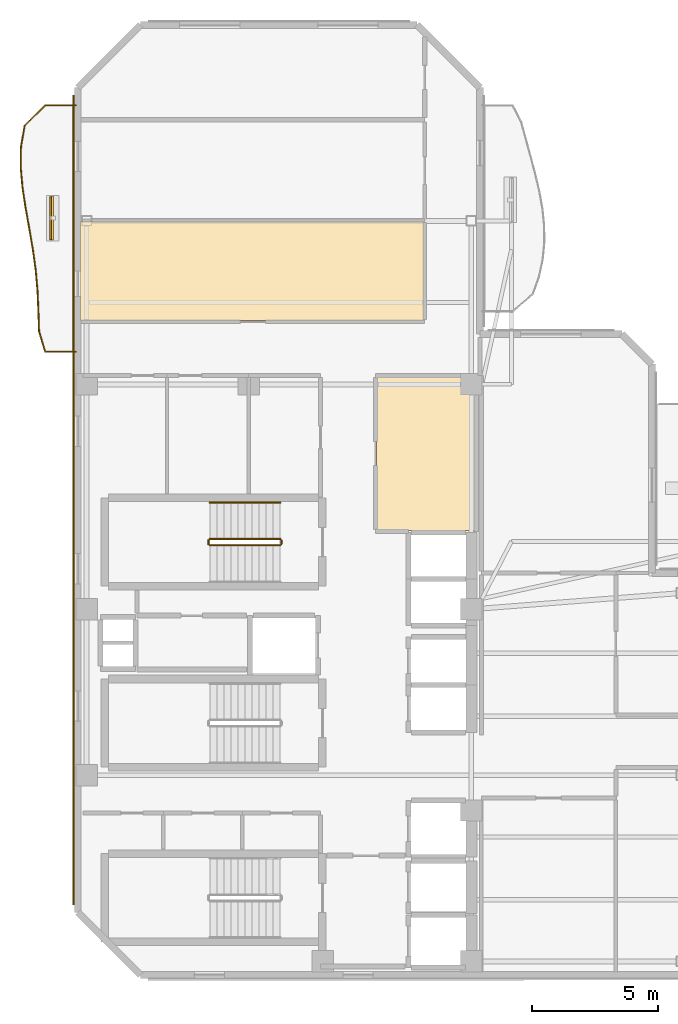
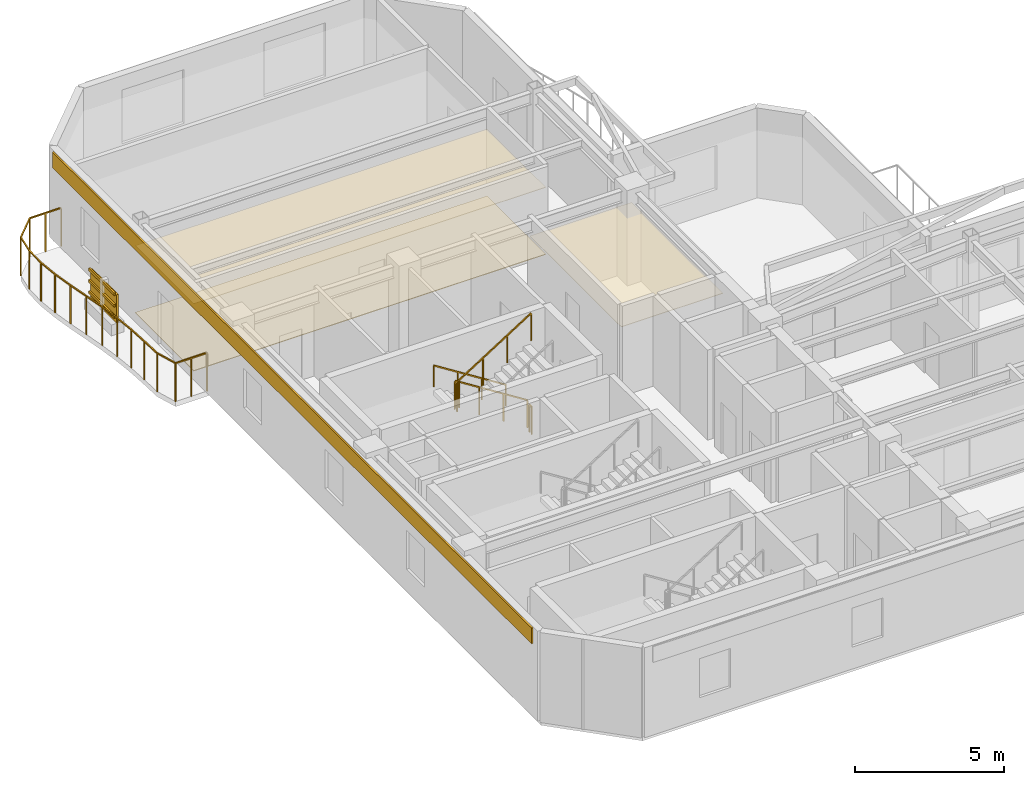
# One storey, part 7 of 8: 6 railings, 4 coverings, 4 shading devices.
"""IFC4 building model written with IfcOpenShell, lengths in metres."""

from ifc_helpers import new_model, si_unit, direction, frame, origin, origin_2d, place, context, subcontext, project, spatial, polyline, rectangle, outline, extrude, material, layer, layer_set, material_profile, profile_set, type_object, element, save


model = new_model("IFC4")

# Units and contexts
model_context = context("Model", 3, precision=1e-05, world=origin(), true_north=direction((0.0, 1.0)))
body_context = subcontext(model_context, "Body", "Model", "MODEL_VIEW")
ifc_project = project(units=[si_unit("LENGTHUNIT", "METRE"), si_unit("AREAUNIT", "SQUARE_METRE"), si_unit("VOLUMEUNIT", "CUBIC_METRE"), si_unit("PLANEANGLEUNIT", "RADIAN"), si_unit("MASSUNIT", "GRAM", prefix="KILO")], contexts=[model_context])

# Site, building, storey
site_placement = place(None, origin())
site = spatial("IfcSite", under=ifc_project, at=site_placement, CompositionType="ELEMENT")
building_placement = place(site_placement, origin())
building = spatial("IfcBuilding", under=site, at=building_placement, Name="Mawjaban Terraces University", CompositionType="ELEMENT")
storey_placement = place(building_placement, frame((0.0, 0.0, 248.199951171875)))
storey = spatial("IfcBuildingStorey", under=building, at=storey_placement, Name="L60", CompositionType="ELEMENT", Elevation=248.199951171875)

# Coverings
ifc_material_1 = material(Name="Acoustic mineral fibre ceiling tile", Category="masonry")
ifc_layer_1 = layer(ifc_material_1, 0.02001953125)
ifc_layer_set_1 = layer_set([ifc_layer_1], Name="Acoustic mineral fibre ceiling tile")
covering_type_1 = type_object("IfcCoveringType", Name="AcousticMineralCeiling_20", PredefinedType="CEILING", material=ifc_layer_set_1)
covering_1_placement = place(storey_placement, frame((0.0, 0.0, 2.75)))
element("IfcCovering", 1, at=covering_1_placement, inside=storey, type_object=covering_type_1, Name="L60 Graduate Research Collaboration Studio Acoustic Ceiling", PredefinedType="CEILING", context=body_context, shape_type="SweptSolid", body=[
    extrude(outline(polyline([(37.820068359375, 17.679931640625), (37.820068359375, 23.820068359375), (33.8798828125, 23.820068359375), (33.8798828125, 17.679931640625), (37.820068359375, 17.679931640625)])), origin(), (0.0, 0.0, 1.0), 0.02001953125),
])
covering_2_placement = place(storey_placement, frame((0.0, 0.0, 2.75)))
element("IfcCovering", 2, at=covering_2_placement, inside=storey, type_object=covering_type_1, Name="L60 Classroom 8 Acoustic Ceiling", PredefinedType="CEILING", context=body_context, shape_type="SweptSolid", body=[
    extrude(outline(polyline([(22.114990234375, 29.969970703125), (22.114990234375, 26.030029296875), (35.77001953125, 26.030029296875), (35.77001953125, 29.969970703125), (22.114990234375, 29.969970703125)])), origin(), (0.0, 0.0, 1.0), 0.02001953125),
])

# Railings
ifc_material_2 = material(Name="Galvanised powder-coated steel S355", Category="steel")
railing_type_1 = type_object("IfcRailingType", Name="BalconyBalustrade_1600", PredefinedType="BALUSTRADE", material=ifc_material_2)
railing_1_placement = place(storey_placement, frame((21.919921875, 24.800048828125, 0.0)))
element("IfcRailing", 3, at=railing_1_placement, inside=storey, type_object=railing_type_1, Name="L60 Balcony Guardrail west", PredefinedType="BALUSTRADE", context=body_context, shape_type="SweptSolid", body=[
    extrude(rectangle(XDim=0.048095703125, YDim=0.048095703125, at=origin_2d()), frame((0.0, 0.0, 1.576171875), z_axis=(-1.0, 0.0, 0.0), x_axis=(0.0, -1.0, 0.0)), (0.0, 0.0, 1.0), 1.219970703125),
    extrude(rectangle(XDim=0.048095703125, YDim=0.048095703125, at=origin_2d()), frame((-1.219970703125, 0.0, 1.576171875), z_axis=(-0.286086544762, 0.958203782557, 0.0), x_axis=(-0.958203782557, -0.286086544762, 0.0)), (0.0, 0.0, 1.0), 0.8525390625),
    extrude(rectangle(XDim=0.048095703125, YDim=0.048095703125, at=origin_2d()), frame((-1.4638671875, 0.81689453125, 1.576171875), z_axis=(-0.030796035307, 0.99952568962, 0.0), x_axis=(-0.99952568962, -0.030796035307, 0.0)), (0.0, 0.0, 1.0), 0.816650390625),
    extrude(rectangle(XDim=0.048095703125, YDim=0.048095703125, at=origin_2d()), frame((-1.489013671875, 1.633056640625, 1.576171875), z_axis=(-0.045082627759, 0.998983261459, 0.0), x_axis=(-0.998983261459, -0.045082627759, 0.0)), (0.0, 0.0, 1.0), 0.817626953125),
    extrude(rectangle(XDim=0.048095703125, YDim=0.048095703125, at=origin_2d()), frame((-1.52587890625, 2.449951171875, 1.576171875), z_axis=(-0.089005768693, 0.996031110528, 0.0), x_axis=(-0.996031110528, -0.089005768693, 0.0)), (0.0, 0.0, 1.0), 0.820068359375),
    extrude(rectangle(XDim=0.048095703125, YDim=0.048095703125, at=origin_2d()), frame((-1.598876953125, 3.266845703125, 1.576171875), z_axis=(-0.137188840592, 0.990544911661, 0.0), x_axis=(-0.990544911661, -0.137188840592, 0.0)), (0.0, 0.0, 1.0), 0.823974609375),
    extrude(rectangle(XDim=0.048095703125, YDim=0.048095703125, at=origin_2d()), frame((-1.7119140625, 4.0830078125, 1.576171875), z_axis=(-0.168792112751, 0.985651674109, 0.0), x_axis=(-0.985651674109, -0.168792112751, 0.0)), (0.0, 0.0, 1.0), 0.828857421875),
    extrude(rectangle(XDim=0.048095703125, YDim=0.048095703125, at=origin_2d()), frame((-1.851806640625, 4.89990234375, 1.576171875), z_axis=(-0.175882254045, 0.984411211188, 0.0), x_axis=(-0.984411211188, -0.175882254045, 0.0)), (0.0, 0.0, 1.0), 0.830078125),
    extrude(rectangle(XDim=0.048095703125, YDim=0.048095703125, at=origin_2d()), frame((-1.997802734375, 5.717041015625, 1.576171875), z_axis=(-0.150278574394, 0.988643692175, 0.0), x_axis=(-0.988643692175, -0.150278574394, 0.0)), (0.0, 0.0, 1.0), 0.8251953125),
    extrude(rectangle(XDim=0.048095703125, YDim=0.048095703125, at=origin_2d()), frame((-2.121826171875, 6.532958984375, 1.576171875), z_axis=(-0.087824301942, 0.996135980672, 0.0), x_axis=(-0.996135980672, -0.087824301942, 0.0)), (0.0, 0.0, 1.0), 0.820068359375),
    extrude(rectangle(XDim=0.048095703125, YDim=0.048095703125, at=origin_2d()), frame((-2.19384765625, 7.349853515625, 1.576171875), z_axis=(0.015833091241, 0.999874648754, 0.0), x_axis=(-0.999874648754, 0.015833091241, 0.0)), (0.0, 0.0, 1.0), 0.817138671875),
    extrude(rectangle(XDim=0.048095703125, YDim=0.048095703125, at=origin_2d()), frame((-2.180908203125, 8.1669921875, 1.576171875), z_axis=(0.174995257373, 0.984569276332, 0.0), x_axis=(-0.984569276332, 0.174995257373, 0.0)), (0.0, 0.0, 1.0), 0.82861328125),
    extrude(rectangle(XDim=0.048095703125, YDim=0.048095703125, at=origin_2d()), frame((-2.035888671875, 8.98291015625, 1.576171875), z_axis=(0.706578024374, 0.707635142903, 0.0), x_axis=(-0.707635142903, 0.706578024374, 0.0)), (0.0, 0.0, 1.0), 1.15478515625),
    extrude(rectangle(XDim=0.048095703125, YDim=0.048095703125, at=origin_2d()), frame((-1.219970703125, 9.800048828125, 1.576171875), z_axis=(1.0, 0.0, 0.0), x_axis=(0.0, 1.0, 0.0)), (0.0, 0.0, 1.0), 1.219970703125),
    extrude(rectangle(XDim=0.0419921875, YDim=0.0419921875, at=origin_2d()), origin(), (0.0, 0.0, 1.0), 1.552001953125),
    extrude(rectangle(XDim=0.0419921875, YDim=0.0419921875, at=origin_2d()), frame((-0.60986328125, 0.0, 0.0)), (0.0, 0.0, 1.0), 1.552001953125),
    extrude(rectangle(XDim=0.0419921875, YDim=0.0419921875, at=origin_2d()), frame((-1.219970703125, 0.0, 0.0)), (0.0, 0.0, 1.0), 1.552001953125),
    extrude(rectangle(XDim=0.0419921875, YDim=0.0419921875, at=origin_2d()), frame((-1.4638671875, 0.81689453125, 0.0)), (0.0, 0.0, 1.0), 1.552001953125),
    extrude(rectangle(XDim=0.0419921875, YDim=0.0419921875, at=origin_2d()), frame((-1.489013671875, 1.633056640625, 0.0)), (0.0, 0.0, 1.0), 1.552001953125),
    extrude(rectangle(XDim=0.0419921875, YDim=0.0419921875, at=origin_2d()), frame((-1.52587890625, 2.449951171875, 0.0)), (0.0, 0.0, 1.0), 1.552001953125),
    extrude(rectangle(XDim=0.0419921875, YDim=0.0419921875, at=origin_2d()), frame((-1.598876953125, 3.266845703125, 0.0)), (0.0, 0.0, 1.0), 1.552001953125),
    extrude(rectangle(XDim=0.0419921875, YDim=0.0419921875, at=origin_2d()), frame((-1.7119140625, 4.0830078125, 0.0)), (0.0, 0.0, 1.0), 1.552001953125),
    extrude(rectangle(XDim=0.0419921875, YDim=0.0419921875, at=origin_2d()), frame((-1.851806640625, 4.89990234375, 0.0)), (0.0, 0.0, 1.0), 1.552001953125),
    extrude(rectangle(XDim=0.0419921875, YDim=0.0419921875, at=origin_2d()), frame((-1.997802734375, 5.717041015625, 0.0)), (0.0, 0.0, 1.0), 1.552001953125),
    extrude(rectangle(XDim=0.0419921875, YDim=0.0419921875, at=origin_2d()), frame((-2.121826171875, 6.532958984375, 0.0)), (0.0, 0.0, 1.0), 1.552001953125),
    extrude(rectangle(XDim=0.0419921875, YDim=0.0419921875, at=origin_2d()), frame((-2.19384765625, 7.349853515625, 0.0)), (0.0, 0.0, 1.0), 1.552001953125),
    extrude(rectangle(XDim=0.0419921875, YDim=0.0419921875, at=origin_2d()), frame((-2.180908203125, 8.1669921875, 0.0)), (0.0, 0.0, 1.0), 1.552001953125),
    extrude(rectangle(XDim=0.0419921875, YDim=0.0419921875, at=origin_2d()), frame((-2.035888671875, 8.98291015625, 0.0)), (0.0, 0.0, 1.0), 1.552001953125),
    extrude(rectangle(XDim=0.0419921875, YDim=0.0419921875, at=origin_2d()), frame((-1.219970703125, 9.800048828125, 0.0)), (0.0, 0.0, 1.0), 1.552001953125),
    extrude(rectangle(XDim=0.0419921875, YDim=0.0419921875, at=origin_2d()), frame((-0.60986328125, 9.800048828125, 0.0)), (0.0, 0.0, 1.0), 1.552001953125),
    extrude(rectangle(XDim=0.0419921875, YDim=0.0419921875, at=origin_2d()), frame((0.0, 9.800048828125, 0.0)), (0.0, 0.0, 1.0), 1.552001953125),
])
ifc_material_3 = material(Name="Brushed stainless steel 316", Category="steel")
railing_type_2 = type_object("IfcRailingType", Name="StairWallHandrail_900", PredefinedType="HANDRAIL", material=ifc_material_3)
railing_2_placement = place(storey_placement, frame((30.050048828125, 18.800048828125, 0.17724609375)))
element("IfcRailing", 4, at=railing_2_placement, inside=storey, type_object=railing_type_2, Name="L60 ST-2 stair handrail 1", PredefinedType="HANDRAIL", context=body_context, shape_type="SweptSolid", body=[
    extrude(rectangle(XDim=0.048095703125, YDim=0.048095703125, at=origin_2d()), frame((0.0, 0.0, 0.8759765625), z_axis=(-0.844908973607, 0.0, 0.534910110503), x_axis=(0.0, -1.0, 0.0)), (0.0, 0.0, 1.0), 3.31396484375),
    extrude(rectangle(XDim=0.0419921875, YDim=0.0419921875, at=origin_2d()), origin(), (0.0, 0.0, 1.0), 0.851806640625),
    extrude(rectangle(XDim=0.0419921875, YDim=0.0419921875, at=origin_2d()), frame((-0.933349609375, 0.0, 0.5908203125)), (0.0, 0.0, 1.0), 0.851806640625),
    extrude(rectangle(XDim=0.0419921875, YDim=0.0419921875, at=origin_2d()), frame((-1.86669921875, 0.0, 1.181884765625)), (0.0, 0.0, 1.0), 0.851806640625),
    extrude(rectangle(XDim=0.0419921875, YDim=0.0419921875, at=origin_2d()), frame((-2.800048828125, 0.0, 1.772705078125)), (0.0, 0.0, 1.0), 0.851806640625),
])
ifc_material_4 = material(Name="Galvanised painted steel S355", Category="steel")
railing_type_3 = type_object("IfcRailingType", Name="StairWellGuard_1150", PredefinedType="BALUSTRADE", material=ifc_material_4)
railing_3_placement = place(storey_placement, frame((30.050048828125, 17.35009765625, 0.17724609375)))
element("IfcRailing", 5, at=railing_3_placement, inside=storey, type_object=railing_type_3, Name="L60 ST-2 stair guard 1", PredefinedType="BALUSTRADE", context=body_context, shape_type="SweptSolid", body=[
    extrude(rectangle(XDim=0.048095703125, YDim=0.048095703125, at=origin_2d()), frame((0.0, 0.0, 1.1259765625), z_axis=(-0.844908973607, 0.0, 0.534910110503), x_axis=(0.0, -1.0, 0.0)), (0.0, 0.0, 1.0), 3.31396484375),
    extrude(rectangle(XDim=0.0419921875, YDim=0.0419921875, at=origin_2d()), origin(), (0.0, 0.0, 1.0), 1.101806640625),
    extrude(rectangle(XDim=0.0419921875, YDim=0.0419921875, at=origin_2d()), frame((-0.933349609375, 0.0, 0.5908203125)), (0.0, 0.0, 1.0), 1.101806640625),
    extrude(rectangle(XDim=0.0419921875, YDim=0.0419921875, at=origin_2d()), frame((-1.86669921875, 0.0, 1.181884765625)), (0.0, 0.0, 1.0), 1.101806640625),
    extrude(rectangle(XDim=0.0419921875, YDim=0.0419921875, at=origin_2d()), frame((-2.800048828125, 0.0, 1.772705078125)), (0.0, 0.0, 1.0), 1.101806640625),
])
railing_4_placement = place(storey_placement, frame((27.199951171875, 17.300048828125, 1.949951171875)))
element("IfcRailing", 6, at=railing_4_placement, inside=storey, type_object=railing_type_3, Name="L60 ST-2 stair guard 2", PredefinedType="BALUSTRADE", context=body_context, shape_type="SweptSolid", body=[
    extrude(rectangle(XDim=0.048095703125, YDim=0.048095703125, at=origin_2d()), frame((0.0, 0.0, 1.1259765625), z_axis=(0.0, -1.0, 0.0), x_axis=(1.0, 0.0, 0.0)), (0.0, 0.0, 1.0), 0.150146484375),
    extrude(rectangle(XDim=0.0419921875, YDim=0.0419921875, at=origin_2d()), origin(), (0.0, 0.0, 1.0), 1.101806640625),
    extrude(rectangle(XDim=0.0419921875, YDim=0.0419921875, at=origin_2d()), frame((0.0, -0.150146484375, 0.0)), (0.0, 0.0, 1.0), 1.101806640625),
])
railing_5_placement = place(storey_placement, frame((27.25, 17.10009765625, 2.12744140625)))
element("IfcRailing", 7, at=railing_5_placement, inside=storey, type_object=railing_type_3, Name="L60 ST-2 stair guard 3", PredefinedType="BALUSTRADE", context=body_context, shape_type="SweptSolid", body=[
    extrude(rectangle(XDim=0.048095703125, YDim=0.048095703125, at=origin_2d()), frame((0.0, 0.0, 1.1259765625), z_axis=(0.844908973607, 0.0, 0.534910110503), x_axis=(0.0, 1.0, 0.0)), (0.0, 0.0, 1.0), 3.31396484375),
    extrude(rectangle(XDim=0.0419921875, YDim=0.0419921875, at=origin_2d()), origin(), (0.0, 0.0, 1.0), 1.101806640625),
    extrude(rectangle(XDim=0.0419921875, YDim=0.0419921875, at=origin_2d()), frame((0.933349609375, 0.0, 0.5908203125)), (0.0, 0.0, 1.0), 1.101806640625),
    extrude(rectangle(XDim=0.0419921875, YDim=0.0419921875, at=origin_2d()), frame((1.86669921875, 0.0, 1.181884765625)), (0.0, 0.0, 1.0), 1.101806640625),
    extrude(rectangle(XDim=0.0419921875, YDim=0.0419921875, at=origin_2d()), frame((2.800048828125, 0.0, 1.772705078125)), (0.0, 0.0, 1.0), 1.101806640625),
])
railing_6_placement = place(storey_placement, frame((30.10009765625, 17.300048828125, 0.0)))
element("IfcRailing", 8, at=railing_6_placement, inside=storey, type_object=railing_type_3, Name="L60 ST-2 stair guard 4", PredefinedType="BALUSTRADE", context=body_context, shape_type="SweptSolid", body=[
    extrude(rectangle(XDim=0.048095703125, YDim=0.048095703125, at=origin_2d()), frame((0.0, 0.0, 1.1259765625), z_axis=(0.0, -1.0, 0.0), x_axis=(1.0, 0.0, 0.0)), (0.0, 0.0, 1.0), 0.150146484375),
    extrude(rectangle(XDim=0.0419921875, YDim=0.0419921875, at=origin_2d()), origin(), (0.0, 0.0, 1.0), 1.101806640625),
    extrude(rectangle(XDim=0.0419921875, YDim=0.0419921875, at=origin_2d()), frame((0.0, -0.150146484375, 0.0)), (0.0, 0.0, 1.0), 1.101806640625),
])

# Shading devices
ifc_material_5 = material(Name="Glazed architectural terracotta ceramic", Category="masonry")
ifc_material_profile = material_profile(ifc_material_5, rectangle(XDim=0.06494140625, YDim=0.110107421875, at=origin_2d()), Name="TBAG110X65")
ifc_profile_set = profile_set([ifc_material_profile], Name="Glazed architectural terracotta ceramic")
shading_device_type_1 = type_object("IfcShadingDeviceType", Name="TerracottaBaguette_110x65", PredefinedType="USERDEFINED", material=ifc_profile_set)
for number, where, z_axis, x_axis, name in (
    (9, (20.91796875, 29.258056640625, 0.679931640625), (0.0, 1.0, 0.0), (-1.0, 0.0, 0.0), "L60 Horizontal Terracotta Baguette west.1"),
    (10, (20.91796875, 29.258056640625, 1.150146484375), (0.0, 1.0, 0.0), (-1.0, 0.0, 0.0), "L60 Horizontal Terracotta Baguette west.2"),
    (11, (20.91796875, 29.258056640625, 1.6201171875), (0.0, 1.0, 0.0), (-1.0, 0.0, 0.0), "L60 Horizontal Terracotta Baguette west.3"),
):
    element("IfcShadingDevice", number, at=place(storey_placement, frame(where, z_axis=z_axis, x_axis=x_axis)), inside=storey, type_object=shading_device_type_1, Name=name, ObjectType="BAGUETTE", PredefinedType="USERDEFINED", context=body_context, shape_type="SweptSolid", body=[
        extrude(rectangle(XDim=0.06494140625, YDim=0.110107421875, at=origin_2d()), origin(), (0.0, 0.0, 1.0), 1.699951171875),
    ])
ifc_layer_2 = layer(ifc_material_5, 0.080078125)
ifc_layer_set_2 = layer_set([ifc_layer_2], Name="Glazed architectural terracotta ceramic")
shading_device_type_2 = type_object("IfcShadingDeviceType", Name="TerracottaScreen_Perforated", PredefinedType="USERDEFINED", material=ifc_layer_set_2)
shading_device_placement = place(storey_placement, frame((21.0029296875, 30.10791015625, 0.440185546875), z_axis=(0.0, 0.0, 1.0), x_axis=(0.0, 1.0, 0.0)))
element("IfcShadingDevice", 12, at=shading_device_placement, inside=storey, type_object=shading_device_type_2, Name="L60 Balcony Perforated Terracotta Screen west", ObjectType="SCREEN", PredefinedType="USERDEFINED", context=body_context, shape_type="SweptSolid", body=[
    extrude(rectangle(XDim=1.75, YDim=0.080078125, at=origin_2d()), origin(), (0.0, 0.0, 1.0), 1.14990234375),
])

# Coverings
ifc_material_6 = material(Name="Glazed architectural terracotta rainscreen", Category="masonry")
ifc_layer_3 = layer(ifc_material_6, 0.06005859375)
ifc_layer_set_3 = layer_set([ifc_layer_3], Name="Glazed architectural terracotta rainscreen")
covering_type_2 = type_object("IfcCoveringType", Name="TerracottaSpandrelCladding_60", PredefinedType="CLADDING", material=ifc_layer_set_3)
covering_3_placement = place(storey_placement, frame((21.8369140625, 18.89990234375, 3.01513671875), z_axis=(0.0, 0.0, 1.0), x_axis=(0.0, -1.0, 0.0)))
element("IfcCovering", 13, at=covering_3_placement, inside=storey, type_object=covering_type_2, Name="L60 Terracotta Spandrel Cladding 13", PredefinedType="CLADDING", context=body_context, shape_type="SweptSolid", body=[
    extrude(rectangle(XDim=32.199951171875, YDim=0.06005859375, at=origin_2d()), origin(), (0.0, 0.0, 1.0), 0.64990234375),
])
ifc_material_7 = material(Name="Polished Hijazi granite terrazzo flooring", Category="masonry")
ifc_layer_4 = layer(ifc_material_7, 0.02490234375)
ifc_layer_set_4 = layer_set([ifc_layer_4], Name="Polished Hijazi granite terrazzo flooring")
covering_type_3 = type_object("IfcCoveringType", Name="TerrazzoConcourseFlooring_25", PredefinedType="FLOORING", material=ifc_layer_set_4)
covering_4_placement = place(storey_placement, origin())
element("IfcCovering", 14, at=covering_4_placement, inside=storey, type_object=covering_type_3, Name="L60 Classroom 8 Terrazzo Flooring", PredefinedType="FLOORING", context=body_context, shape_type="SweptSolid", body=[
    extrude(outline(polyline([(22.114990234375, 29.969970703125), (22.114990234375, 26.030029296875), (35.77001953125, 26.030029296875), (35.77001953125, 29.969970703125), (22.114990234375, 29.969970703125)])), origin(), (0.0, 0.0, 1.0), 0.025146484375),
])

save(model, "model.ifc")
